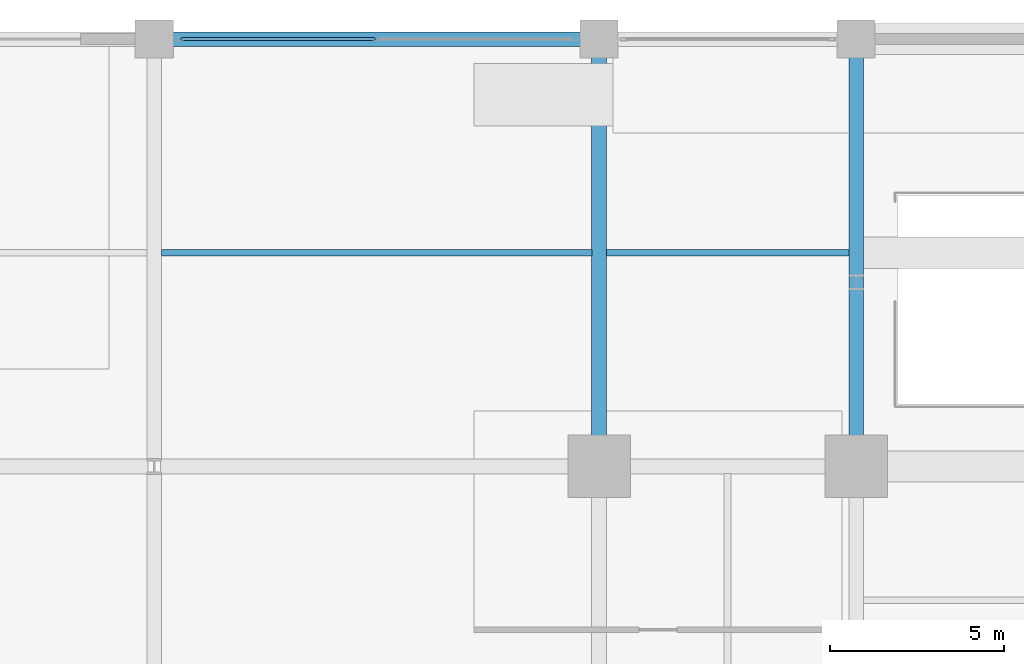
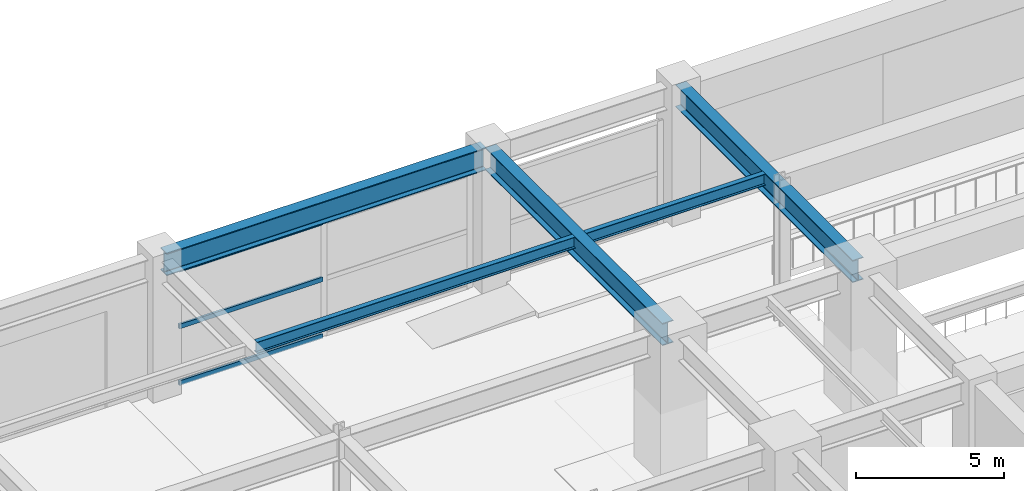
# One storey, part 16 of 41: 5 beams, 3 members, 1 element without a shape of its own.
"""IFC4 building model written with IfcOpenShell, lengths in metres."""

from ifc_helpers import new_model, si_unit, direction, frame, origin, origin_2d, place, context, subcontext, project, spatial, hollow_rectangle, i_section, extrude, material, material_profile, profile_set, type_object, element, aggregate, save


model = new_model("IFC4")

# Units and contexts
model_context = context("Model", 3, precision=1e-05, world=origin(), true_north=direction((0.0, 1.0)))
body_context = subcontext(model_context, "Body", "Model", "MODEL_VIEW")
ifc_project = project(units=[si_unit("LENGTHUNIT", "METRE"), si_unit("AREAUNIT", "SQUARE_METRE"), si_unit("VOLUMEUNIT", "CUBIC_METRE"), si_unit("PLANEANGLEUNIT", "RADIAN"), si_unit("MASSUNIT", "GRAM", prefix="KILO")], contexts=[model_context])

# Site, building, storey
site_placement = place(None, origin())
site = spatial("IfcSite", under=ifc_project, at=site_placement, CompositionType="ELEMENT")
building_placement = place(site_placement, origin())
building = spatial("IfcBuilding", under=site, at=building_placement, Name="Kovane Verandah Tower", CompositionType="ELEMENT")
storey_placement = place(building_placement, origin())
storey = spatial("IfcBuildingStorey", under=building, at=storey_placement, Name="L00", CompositionType="ELEMENT", Elevation=0.0)

# Beams
ifc_material_1 = material(Name="Steel S460", Category="steel")
ifc_material_profile_1 = material_profile(ifc_material_1, i_section(OverallWidth=0.42041015625, OverallDepth=0.9208984375, WebThickness=0.021484375, FlangeThickness=0.03662109375, FilletRadius=0.024169921875, at=origin_2d()), Name="UB914x419x388")
ifc_profile_set_1 = profile_set([ifc_material_profile_1], Name="Steel S460")
beam_type_1 = type_object("IfcBeamType", Name="BM-UB914x388", PredefinedType="BEAM", material=ifc_profile_set_1)
beam_1_placement = place(storey_placement, frame((8.97998046875, 56.5, 5.239501953125), z_axis=(1.0, 0.0, 0.0), x_axis=(0.0, 1.0, 0.0)))
element("IfcBeam", 1, at=beam_1_placement, inside=storey, type_object=beam_type_1, Name="L00 Podium Grid Girder X25", PredefinedType="BEAM", context=body_context, shape_type="SweptSolid", body=[
    extrude(i_section(OverallWidth=0.42041015625, OverallDepth=0.9208984375, WebThickness=0.021484375, FlangeThickness=0.03662109375, FilletRadius=0.024169921875, at=origin_2d()), origin(), (0.0, 0.0, 1.0), 12.43994140625),
])
for number, where, z_axis, x_axis, name in (
    (2, (21.60009765625, 44.3798828125, 5.239501953125), (0.0, 1.0, 0.0), (-1.0, 0.0, 0.0), "L00 Podium Grid Girder Y42"),
    (3, (29.0, 44.3798828125, 5.239501953125), (0.0, 1.0, 0.0), (-1.0, 0.0, 0.0), "L00 Podium Grid Girder Y44"),
):
    element("IfcBeam", number, at=place(storey_placement, frame(where, z_axis=z_axis, x_axis=x_axis)), inside=storey, type_object=beam_type_1, Name=name, PredefinedType="BEAM", context=body_context, shape_type="SweptSolid", body=[
        extrude(i_section(OverallWidth=0.42041015625, OverallDepth=0.9208984375, WebThickness=0.021484375, FlangeThickness=0.03662109375, FilletRadius=0.024169921875, at=origin_2d()), origin(), (0.0, 0.0, 1.0), 11.940185546875),
    ])

# Curtain wall, members
ifc_material_2 = material(Name="Champagne Anodised Aluminium Frame with Low-E Clear Laminated Glass", Category="aluminium")
curtain_wall_type = type_object("IfcCurtainWallType", Name="CW-SYS-01-POD", PredefinedType="NOTDEFINED", material=ifc_material_2)
curtain_wall_placement = place(storey_placement, origin())
curtain_wall = element("IfcCurtainWall", 4, at=curtain_wall_placement, inside=storey, type_object=curtain_wall_type, Name="Ground North Shopfront Curtain Wall Bay 2", PredefinedType="NOTDEFINED")
ifc_material_3 = material(Name="Champagne Anodised Aluminium 6063-T6", Category="aluminium")
ifc_material_profile_2 = material_profile(ifc_material_3, hollow_rectangle(XDim=0.0849609375, YDim=0.18994140625, WallThickness=0.00390625, at=origin_2d()), Name="AL85x190x4")
ifc_profile_set_2 = profile_set([ifc_material_profile_2], Name="Champagne Anodised Aluminium 6063-T6")
member_type = type_object("IfcMemberType", Name="CW-TRN-85x190", PredefinedType="USERDEFINED", material=ifc_profile_set_2)
member_1_placement = place(storey_placement, frame((15.14990234375, 56.5, 0.050048828125), z_axis=(-1.0, 0.0, 0.0), x_axis=(0.0, -1.0, 0.0)))
member_1 = element("IfcMember", 5, at=member_1_placement, type_object=member_type, Name="Ground North Shopfront Curtain Wall Bay 2 Transom TB Bay 2", ObjectType="TRANSOM", PredefinedType="USERDEFINED", context=body_context, shape_type="SweptSolid", body=[
    extrude(hollow_rectangle(XDim=0.0849609375, YDim=0.18994140625, WallThickness=0.00390625, at=origin_2d()), origin(), (0.0, 0.0, 1.0), 5.579833984375),
])
member_2_placement = place(storey_placement, frame((15.14990234375, 56.5, 2.37939453125), z_axis=(-1.0, 0.0, 0.0), x_axis=(0.0, -1.0, 0.0)))
member_2 = element("IfcMember", 6, at=member_2_placement, type_object=member_type, Name="Ground North Shopfront Curtain Wall Bay 2 Transom TM Bay 2", ObjectType="TRANSOM", PredefinedType="USERDEFINED", context=body_context, shape_type="SweptSolid", body=[
    extrude(hollow_rectangle(XDim=0.0849609375, YDim=0.18994140625, WallThickness=0.00390625, at=origin_2d()), origin(), (0.0, 0.0, 1.0), 5.579833984375),
])
member_3_placement = place(storey_placement, frame((15.14990234375, 56.5, 4.708984375), z_axis=(-1.0, 0.0, 0.0), x_axis=(0.0, -1.0, 0.0)))
member_3 = element("IfcMember", 7, at=member_3_placement, type_object=member_type, Name="Ground North Shopfront Curtain Wall Bay 2 Transom TT Bay 2", ObjectType="TRANSOM", PredefinedType="USERDEFINED", context=body_context, shape_type="SweptSolid", body=[
    extrude(hollow_rectangle(XDim=0.0849609375, YDim=0.18994140625, WallThickness=0.00390625, at=origin_2d()), origin(), (0.0, 0.0, 1.0), 5.579833984375),
])
aggregate(curtain_wall, [member_1, member_2, member_3])

# Beams
ifc_material_4 = material(Name="Steel S355", Category="steel")
ifc_material_profile_3 = material_profile(ifc_material_4, i_section(OverallWidth=0.19287109375, OverallDepth=0.46728515625, WebThickness=0.011474609375, FlangeThickness=0.01953125, FilletRadius=0.01025390625, at=origin_2d()), Name="UB457x191x98")
ifc_profile_set_3 = profile_set([ifc_material_profile_3], Name="Steel S355")
beam_type_2 = type_object("IfcBeamType", Name="JST-UB457x98", PredefinedType="JOIST", material=ifc_profile_set_3)
beam_2_placement = place(storey_placement, frame((9.00830078125, 50.35009765625, 5.46630859375), z_axis=(1.0, 0.0, 0.0), x_axis=(0.0, 1.0, 0.0)))
element("IfcBeam", 8, at=beam_2_placement, inside=storey, type_object=beam_type_2, Name="L00 Podium Secondary Joist 09", PredefinedType="JOIST", context=body_context, shape_type="SweptSolid", body=[
    extrude(i_section(OverallWidth=0.19287109375, OverallDepth=0.46728515625, WebThickness=0.011474609375, FlangeThickness=0.01953125, FilletRadius=0.01025390625, at=origin_2d()), origin(), (0.0, 0.0, 1.0), 12.383544921875),
])
beam_3_placement = place(storey_placement, frame((21.80810546875, 50.35009765625, 5.46630859375), z_axis=(1.0, 0.0, 0.0), x_axis=(0.0, 1.0, 0.0)))
element("IfcBeam", 9, at=beam_3_placement, inside=storey, type_object=beam_type_2, Name="L00 Podium Secondary Joist 10", PredefinedType="JOIST", context=body_context, shape_type="SweptSolid", body=[
    extrude(i_section(OverallWidth=0.19287109375, OverallDepth=0.46728515625, WebThickness=0.011474609375, FlangeThickness=0.01953125, FilletRadius=0.01025390625, at=origin_2d()), origin(), (0.0, 0.0, 1.0), 6.983642578125),
])

save(model, "model.ifc")
